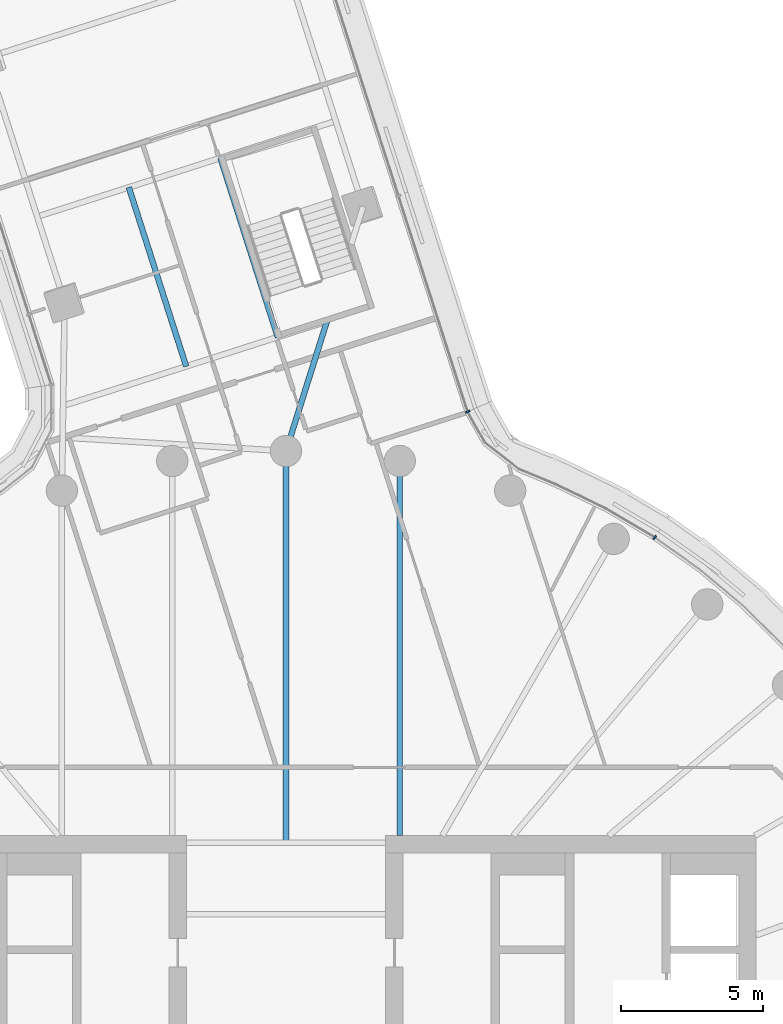
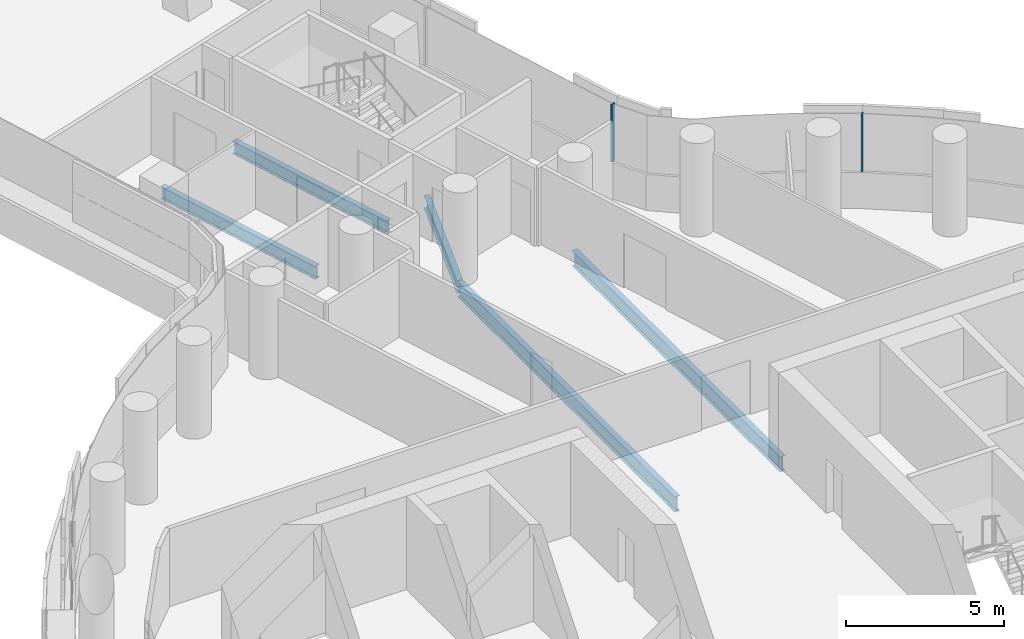
# One storey, part 14 of 30: 5 beams, 2 members, 2 elements without a shape of their own.
"""IFC4 building model written with IfcOpenShell, lengths in metres."""

from ifc_helpers import new_model, si_unit, direction, frame, origin, origin_2d, place, context, subcontext, project, spatial, rectangle, i_section, extrude, material, layer, layer_set, material_profile, profile_set, type_object, element, aggregate, save


model = new_model("IFC4")

# Units and contexts
model_context = context("Model", 3, precision=1e-05, world=origin(), true_north=direction((0.0, 1.0)))
body_context = subcontext(model_context, "Body", "Model", "MODEL_VIEW")
ifc_project = project(units=[si_unit("LENGTHUNIT", "METRE"), si_unit("AREAUNIT", "SQUARE_METRE"), si_unit("VOLUMEUNIT", "CUBIC_METRE"), si_unit("PLANEANGLEUNIT", "RADIAN"), si_unit("MASSUNIT", "GRAM", prefix="KILO")], contexts=[model_context])

# Site, building, storey
site_placement = place(None, origin())
site = spatial("IfcSite", under=ifc_project, at=site_placement, CompositionType="ELEMENT")
building_placement = place(site_placement, origin())
building = spatial("IfcBuilding", under=site, at=building_placement, Name="Tamarind Cross Interchange Tower", CompositionType="ELEMENT")
storey_placement = place(building_placement, frame((0.0, 0.0, 98.5)))
storey = spatial("IfcBuildingStorey", under=building, at=storey_placement, Name="L23", CompositionType="ELEMENT", Elevation=98.5)

# Beams
ifc_material_1 = material(Name="Steel Q355B", Category="steel")
ifc_material_profile_1 = material_profile(ifc_material_1, i_section(OverallWidth=0.198974609375, OverallDepth=0.49609375, WebThickness=0.009033203125, FlangeThickness=0.013916015625, FilletRadius=0.012939453125, at=origin_2d()), Name="HN 496x199x9x14")
ifc_profile_set_1 = profile_set([ifc_material_profile_1], Name="Steel Q355B")
beam_type_1 = type_object("IfcBeamType", Name="Composite beam HN 496x199x9x14 Q355B", PredefinedType="BEAM", material=ifc_profile_set_1)
beam_1_placement = place(storey_placement, frame((1.453857421875, 27.61083984375, -0.387939453125), z_axis=(-0.300718066727, -0.953713082821, 0.0), x_axis=(0.953713082821, -0.300718066727, 0.0)))
element("IfcBeam", 1, at=beam_1_placement, inside=storey, type_object=beam_type_1, Name="Beam N-linkemt1", PredefinedType="BEAM", context=body_context, shape_type="SweptSolid", body=[
    extrude(i_section(OverallWidth=0.198974609375, OverallDepth=0.49609375, WebThickness=0.009033203125, FlangeThickness=0.013916015625, FilletRadius=0.012939453125, at=origin_2d()), origin(), (0.0, 0.0, 1.0), 4.834716796875),
])
for number, where, z_axis, x_axis, name in (
    (2, (-0.2890625, 27.000244140625, -0.387939453125), (-0.3050642854, 0.952331760351, 0.0), (-0.952331760351, -0.3050642854, 0.0), "Beam N-tr1"),
    (3, (-3.503173828125, 25.970458984375, -0.387939453125), (-0.3050642854, 0.952331760351, 0.0), (-0.952331760351, -0.3050642854, 0.0), "Beam N-stripp"),
):
    element("IfcBeam", number, at=place(storey_placement, frame(where, z_axis=z_axis, x_axis=x_axis)), inside=storey, type_object=beam_type_1, Name=name, PredefinedType="BEAM", context=body_context, shape_type="SweptSolid", body=[
        extrude(i_section(OverallWidth=0.198974609375, OverallDepth=0.49609375, WebThickness=0.009033203125, FlangeThickness=0.013916015625, FilletRadius=0.012939453125, at=origin_2d()), origin(), (0.0, 0.0, 1.0), 6.60009765625),
    ])
ifc_material_profile_2 = material_profile(ifc_material_1, i_section(OverallWidth=0.198974609375, OverallDepth=0.595947265625, WebThickness=0.010009765625, FlangeThickness=0.014892578125, FilletRadius=0.012939453125, at=origin_2d()), Name="HN 596x199x10x15")
ifc_profile_set_2 = profile_set([ifc_material_profile_2], Name="Steel Q355B")
beam_type_2 = type_object("IfcBeamType", Name="Composite beam HN 596x199x10x15 Q355B", PredefinedType="BEAM", material=ifc_profile_set_2)
beam_2_placement = place(storey_placement, frame((3.993896484375, 22.650634765625, -0.43798828125), z_axis=(0.0, -1.0, 0.0), x_axis=(1.0, 0.0, 0.0)))
element("IfcBeam", 4, at=beam_2_placement, inside=storey, type_object=beam_type_2, Name="Beam HH08", PredefinedType="BEAM", context=body_context, shape_type="SweptSolid", body=[
    extrude(i_section(OverallWidth=0.198974609375, OverallDepth=0.595947265625, WebThickness=0.010009765625, FlangeThickness=0.014892578125, FilletRadius=0.012939453125, at=origin_2d()), origin(), (0.0, 0.0, 1.0), 13.150634765625),
])
beam_3_placement = place(storey_placement, frame((0.0, 23.0, -0.43798828125), z_axis=(0.0, -1.0, 0.0), x_axis=(1.0, 0.0, 0.0)))
element("IfcBeam", 5, at=beam_3_placement, inside=storey, type_object=beam_type_2, Name="Beam HH09", PredefinedType="BEAM", context=body_context, shape_type="SweptSolid", body=[
    extrude(i_section(OverallWidth=0.198974609375, OverallDepth=0.595947265625, WebThickness=0.010009765625, FlangeThickness=0.014892578125, FilletRadius=0.012939453125, at=origin_2d()), origin(), (0.0, 0.0, 1.0), 13.75),
])

# Curtain wall, member
ifc_material_2 = material(Name="Aluminium 6063-T6", Category="aluminium")
ifc_layer = layer(ifc_material_2, 0.159912109375)
ifc_layer_set = layer_set([ifc_layer], Name="Aluminium 6063-T6")
curtain_wall_type = type_object("IfcCurtainWallType", Name="Office curtain wall, 9.0 m bays", PredefinedType="NOTDEFINED", material=ifc_layer_set)
curtain_wall_1_placement = place(storey_placement, origin())
curtain_wall_1 = element("IfcCurtainWall", 6, at=curtain_wall_1_placement, inside=storey, type_object=curtain_wall_type, Name="CWS-L23-02", PredefinedType="NOTDEFINED")
ifc_material_profile_3 = material_profile(ifc_material_2, rectangle(XDim=0.06005859375, YDim=0.159912109375, at=origin_2d()), Name="Mullion CW1")
ifc_profile_set_3 = profile_set([ifc_material_profile_3], Name="Aluminium 6063-T6")
member_type = type_object("IfcMemberType", Name="Mullion CW1", PredefinedType="MULLION", material=ifc_profile_set_3)
member_1_placement = place(storey_placement, frame((12.942138671875, 19.9677734375, 1.39990234375), z_axis=(0.0, 0.0, 1.0), x_axis=(-0.816341886298, 0.577568978284, 0.0)))
member_1 = element("IfcMember", 7, at=member_1_placement, type_object=member_type, Name="CWM-L23-02-02", PredefinedType="MULLION", context=body_context, shape_type="SweptSolid", body=[
    extrude(rectangle(XDim=0.06005859375, YDim=0.159912109375, at=origin_2d()), origin(), (0.0, 0.0, 1.0), 2.210205078125),
])
aggregate(curtain_wall_1, [member_1])

curtain_wall_2_placement = place(storey_placement, origin())
curtain_wall_2 = element("IfcCurtainWall", 8, at=curtain_wall_2_placement, inside=storey, type_object=curtain_wall_type, Name="CWS-L23-03", PredefinedType="NOTDEFINED")
member_2_placement = place(storey_placement, frame((6.377197265625, 24.3828125, 1.39990234375), z_axis=(0.0, 0.0, 1.0), x_axis=(-0.399478956045, 0.916742364941, 0.0)))
member_2 = element("IfcMember", 9, at=member_2_placement, type_object=member_type, Name="CWM-L23-03-00", PredefinedType="MULLION", context=body_context, shape_type="SweptSolid", body=[
    extrude(rectangle(XDim=0.06005859375, YDim=0.159912109375, at=origin_2d()), origin(), (0.0, 0.0, 1.0), 2.210205078125),
])
aggregate(curtain_wall_2, [member_2])

save(model, "model.ifc")
